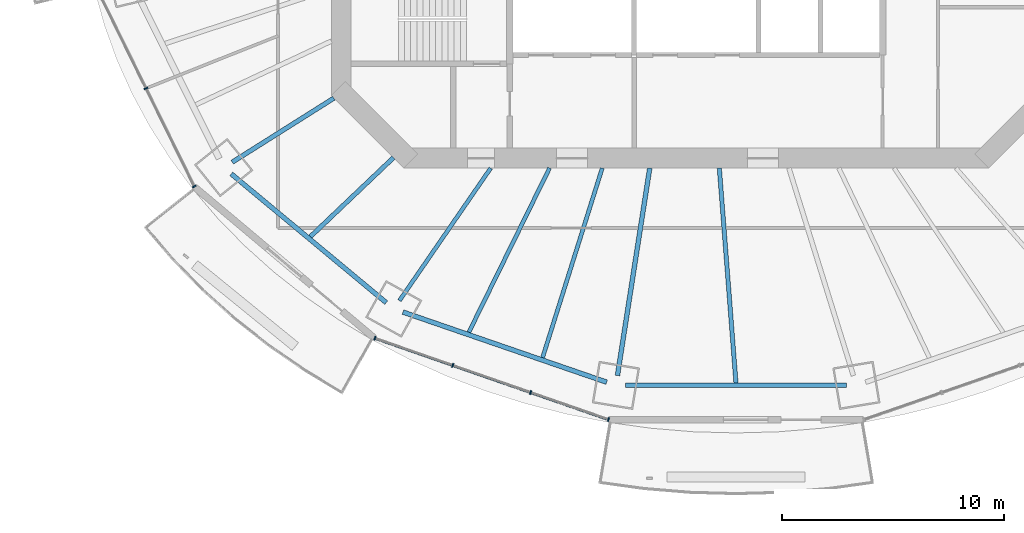
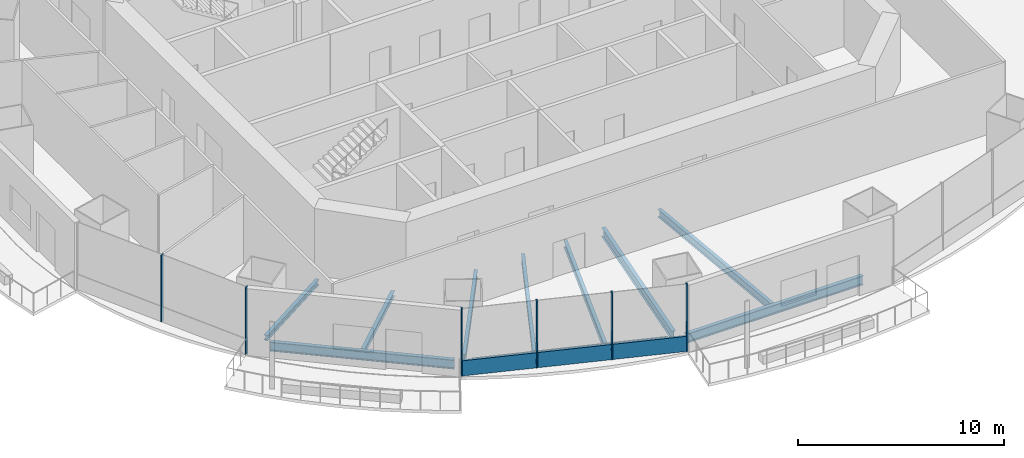
# One storey, part 2 of 18: 10 beams, 7 members, 2 elements without a shape of their own.
"""IFC4 building model written with IfcOpenShell, lengths in metres."""

from ifc_helpers import new_model, si_unit, direction, frame, origin, origin_2d, place, context, subcontext, project, spatial, rectangle, i_section, extrude, material, material_profile, profile_set, type_object, element, aggregate, save


model = new_model("IFC4")

# Units and contexts
model_context = context("Model", 3, precision=1e-05, world=origin(), true_north=direction((0.0, 1.0)))
body_context = subcontext(model_context, "Body", "Model", "MODEL_VIEW")
ifc_project = project(units=[si_unit("LENGTHUNIT", "METRE"), si_unit("AREAUNIT", "SQUARE_METRE"), si_unit("VOLUMEUNIT", "CUBIC_METRE"), si_unit("PLANEANGLEUNIT", "RADIAN"), si_unit("MASSUNIT", "GRAM", prefix="KILO")], contexts=[model_context])

# Site, building, storey
site_placement = place(None, origin())
site = spatial("IfcSite", under=ifc_project, at=site_placement, CompositionType="ELEMENT")
building_placement = place(site_placement, origin())
building = spatial("IfcBuilding", under=site, at=building_placement, Name="Marenthal Gate Tower", CompositionType="ELEMENT")
storey_placement = place(building_placement, frame((0.0, 0.0, 260.64990234375)))
storey = spatial("IfcBuildingStorey", under=building, at=storey_placement, Name="L58", CompositionType="ELEMENT", Elevation=260.64990234375)

# Curtain wall, members
ifc_material_1 = material(Name="Aluminium and glass", Category="aluminium")
curtain_wall_type = type_object("IfcCurtainWallType", Name="Curtain wall typical mid", PredefinedType="NOTDEFINED", material=ifc_material_1)
curtain_wall_1_placement = place(storey_placement, origin())
curtain_wall_1 = element("IfcCurtainWall", 1, at=curtain_wall_1_placement, inside=storey, type_object=curtain_wall_type, Name="Curtain wall L58 bay 9", PredefinedType="NOTDEFINED")
ifc_material_2 = material(Name="Aluminium", Category="aluminium")
ifc_material_profile_1 = material_profile(ifc_material_2, rectangle(XDim=0.179931640625, YDim=0.06005859375, at=origin_2d()), Name="60x180 aluminium mullion")
ifc_profile_set_1 = profile_set([ifc_material_profile_1], Name="Aluminium")
member_type_1 = type_object("IfcMemberType", Name="Mullion 60x180 typical mid", PredefinedType="MULLION", material=ifc_profile_set_1)
member_1_placement = place(storey_placement, frame((-24.804931640625, -9.858642578125, 0.0), z_axis=(0.0, 0.0, 1.0), x_axis=(0.896920632002, 0.442191564697, 0.0)))
member_1 = element("IfcMember", 2, at=member_1_placement, type_object=member_type_1, Name="Mullion L58 bay 9.2", PredefinedType="MULLION", context=body_context, shape_type="SweptSolid", body=[
    extrude(rectangle(XDim=0.179931640625, YDim=0.06005859375, at=origin_2d()), origin(), (0.0, 0.0, 1.0), 3.97021484375),
])
member_2_placement = place(storey_placement, frame((-22.6259765625, -14.27783203125, 0.0), z_axis=(0.0, 0.0, 1.0), x_axis=(0.896920632002, 0.442191564697, 0.0)))
member_2 = element("IfcMember", 3, at=member_2_placement, type_object=member_type_1, Name="Mullion L58 bay 9.3", PredefinedType="MULLION", context=body_context, shape_type="SweptSolid", body=[
    extrude(rectangle(XDim=0.179931640625, YDim=0.06005859375, at=origin_2d()), origin(), (0.0, 0.0, 1.0), 3.97021484375),
])
aggregate(curtain_wall_1, [member_1, member_2])

curtain_wall_2_placement = place(storey_placement, origin())
curtain_wall_2 = element("IfcCurtainWall", 4, at=curtain_wall_2_placement, inside=storey, type_object=curtain_wall_type, Name="Curtain wall L58 bay 11", PredefinedType="NOTDEFINED")
member_3_placement = place(storey_placement, frame((-14.48388671875, -21.12060546875, 0.0), z_axis=(0.0, 0.0, 1.0), x_axis=(0.328669787971, 0.944444900709, 0.0)))
member_3 = element("IfcMember", 5, at=member_3_placement, type_object=member_type_1, Name="Mullion L58 bay 11.1", PredefinedType="MULLION", context=body_context, shape_type="SweptSolid", body=[
    extrude(rectangle(XDim=0.179931640625, YDim=0.06005859375, at=origin_2d()), origin(), (0.0, 0.0, 1.0), 3.97021484375),
])
member_4_placement = place(storey_placement, frame((-10.974609375, -22.341796875, 0.0), z_axis=(0.0, 0.0, 1.0), x_axis=(0.328669787971, 0.944444900709, 0.0)))
member_4 = element("IfcMember", 6, at=member_4_placement, type_object=member_type_1, Name="Mullion L58 bay 11.2", PredefinedType="MULLION", context=body_context, shape_type="SweptSolid", body=[
    extrude(rectangle(XDim=0.179931640625, YDim=0.06005859375, at=origin_2d()), origin(), (0.0, 0.0, 1.0), 3.97021484375),
])
member_5_placement = place(storey_placement, frame((-7.465576171875, -23.56298828125, 0.0), z_axis=(0.0, 0.0, 1.0), x_axis=(0.328669787971, 0.944444900709, 0.0)))
member_5 = element("IfcMember", 7, at=member_5_placement, type_object=member_type_1, Name="Mullion L58 bay 11.3", PredefinedType="MULLION", context=body_context, shape_type="SweptSolid", body=[
    extrude(rectangle(XDim=0.179931640625, YDim=0.06005859375, at=origin_2d()), origin(), (0.0, 0.0, 1.0), 3.97021484375),
])
member_6_placement = place(storey_placement, frame((-3.956298828125, -24.7841796875, 0.0), z_axis=(0.0, 0.0, 1.0), x_axis=(0.328669787971, 0.944444900709, 0.0)))
member_6 = element("IfcMember", 8, at=member_6_placement, type_object=member_type_1, Name="Mullion L58 bay 11.4", PredefinedType="MULLION", context=body_context, shape_type="SweptSolid", body=[
    extrude(rectangle(XDim=0.179931640625, YDim=0.06005859375, at=origin_2d()), origin(), (0.0, 0.0, 1.0), 3.97021484375),
])
ifc_material_3 = material(Name="Aluminium", Category="aluminium")
ifc_material_profile_2 = material_profile(ifc_material_3, rectangle(XDim=0.1201171875, YDim=0.89990234375, at=origin_2d()), Name="120x900 aluminium transom")
ifc_profile_set_2 = profile_set([ifc_material_profile_2], Name="Aluminium")
member_type_2 = type_object("IfcMemberType", Name="Transom 120x900 typical mid", PredefinedType="USERDEFINED", material=ifc_profile_set_2)
member_7_placement = place(storey_placement, frame((-14.455322265625, -21.13037109375, 0.4501953125), z_axis=(0.944445984358, -0.328666674047, 0.0), x_axis=(0.328666674047, 0.944445984358, 0.0)))
member_7 = element("IfcMember", 9, at=member_7_placement, type_object=member_type_2, Name="Transom L58 bay 11", ObjectType="TRANSOM", PredefinedType="USERDEFINED", context=body_context, shape_type="SweptSolid", body=[
    extrude(rectangle(XDim=0.1201171875, YDim=0.89990234375, at=origin_2d()), origin(), (0.0, 0.0, 1.0), 11.086669921875),
])
aggregate(curtain_wall_2, [member_3, member_4, member_5, member_6, member_7])

# Beams
ifc_material_4 = material(Name="Steel S355", Category="steel")
ifc_material_profile_3 = material_profile(ifc_material_4, i_section(OverallWidth=0.202880859375, OverallDepth=0.302001953125, WebThickness=0.007568359375, FlangeThickness=0.01318359375, FilletRadius=0.0126953125, at=origin_2d()), Name="W310X60")
ifc_profile_set_3 = profile_set([ifc_material_profile_3], Name="Steel S355")
beam_type_1 = type_object("IfcBeamType", Name="W310X60 beam", PredefinedType="BEAM", material=ifc_profile_set_3)
beam_1_placement = place(storey_placement, frame((-17.389404296875, -16.538330078125, -0.330810546875), z_axis=(0.724635316144, 0.68913254066, 0.0), x_axis=(-0.68913254066, 0.724635316144, 0.0)))
element("IfcBeam", 10, at=beam_1_placement, inside=storey, type_object=beam_type_1, Name="BM-L58-31", PredefinedType="BEAM", context=body_context, shape_type="SweptSolid", body=[
    extrude(i_section(OverallWidth=0.202880859375, OverallDepth=0.302001953125, WebThickness=0.007568359375, FlangeThickness=0.01318359375, FilletRadius=0.0126953125, at=origin_2d()), origin(), (0.0, 0.0, 1.0), 5.157470703125),
])
ifc_material_5 = material(Name="Steel S355", Category="steel")
ifc_material_profile_4 = material_profile(ifc_material_5, i_section(OverallWidth=0.205078125, OverallDepth=0.31005859375, WebThickness=0.009521484375, FlangeThickness=0.016357421875, FilletRadius=0.0126953125, at=origin_2d()), Name="W310X74")
ifc_profile_set_4 = profile_set([ifc_material_profile_4], Name="Steel S355")
beam_type_2 = type_object("IfcBeamType", Name="W310X74 beam", PredefinedType="BEAM", material=ifc_profile_set_4)
beam_2_placement = place(storey_placement, frame((-20.9130859375, -13.18359375, -0.3349609375), z_axis=(0.845937996818, 0.533281263067, 0.0), x_axis=(-0.533281263067, 0.845937996818, 0.0)))
element("IfcBeam", 11, at=beam_2_placement, inside=storey, type_object=beam_type_2, Name="BM-L58-10", PredefinedType="BEAM", context=body_context, shape_type="SweptSolid", body=[
    extrude(i_section(OverallWidth=0.205078125, OverallDepth=0.31005859375, WebThickness=0.009521484375, FlangeThickness=0.016357421875, FilletRadius=0.0126953125, at=origin_2d()), origin(), (0.0, 0.0, 1.0), 5.408935546875),
])
ifc_material_6 = material(Name="Steel S355", Category="steel")
ifc_material_profile_5 = material_profile(ifc_material_6, i_section(OverallWidth=0.180908203125, OverallDepth=0.4169921875, WebThickness=0.010986328125, FlangeThickness=0.018310546875, FilletRadius=0.01025390625, at=origin_2d()), Name="W410X85")
ifc_profile_set_5 = profile_set([ifc_material_profile_5], Name="Steel S355")
beam_type_3 = type_object("IfcBeamType", Name="W410X85 beam", PredefinedType="BEAM", material=ifc_profile_set_5)
beam_3_placement = place(storey_placement, frame((-13.376708984375, -19.4228515625, -0.388427734375), z_axis=(0.567198693858, 0.823580986719, 0.0), x_axis=(-0.823580986719, 0.567198693858, 0.0)))
element("IfcBeam", 12, at=beam_3_placement, inside=storey, type_object=beam_type_3, Name="BM-L58-11", PredefinedType="BEAM", context=body_context, shape_type="SweptSolid", body=[
    extrude(i_section(OverallWidth=0.180908203125, OverallDepth=0.4169921875, WebThickness=0.010986328125, FlangeThickness=0.018310546875, FilletRadius=0.01025390625, at=origin_2d()), origin(), (0.0, 0.0, 1.0), 7.25244140625),
])
beam_4_placement = place(storey_placement, frame((-10.2490234375, -20.85009765625, -0.388427734375), z_axis=(0.441151587907, 0.897432602755, 0.0), x_axis=(-0.897432602755, 0.441151587907, 0.0)))
element("IfcBeam", 13, at=beam_4_placement, inside=storey, type_object=beam_type_3, Name="BM-L58-32", PredefinedType="BEAM", context=body_context, shape_type="SweptSolid", body=[
    extrude(i_section(OverallWidth=0.180908203125, OverallDepth=0.4169921875, WebThickness=0.010986328125, FlangeThickness=0.018310546875, FilletRadius=0.01025390625, at=origin_2d()), origin(), (0.0, 0.0, 1.0), 8.245849609375),
])
beam_5_placement = place(storey_placement, frame((-6.926025390625, -21.994140625, -0.388427734375), z_axis=(0.30034603041, 0.953830310913, 0.0), x_axis=(-0.953830310913, 0.30034603041, 0.0)))
element("IfcBeam", 14, at=beam_5_placement, inside=storey, type_object=beam_type_3, Name="BM-L58-33", PredefinedType="BEAM", context=body_context, shape_type="SweptSolid", body=[
    extrude(i_section(OverallWidth=0.180908203125, OverallDepth=0.4169921875, WebThickness=0.010986328125, FlangeThickness=0.018310546875, FilletRadius=0.01025390625, at=origin_2d()), origin(), (0.0, 0.0, 1.0), 8.957763671875),
])
ifc_material_7 = material(Name="Steel S355", Category="steel")
ifc_material_profile_6 = material_profile(ifc_material_7, i_section(OverallWidth=0.193115234375, OverallDepth=0.467041015625, WebThickness=0.011474609375, FlangeThickness=0.01904296875, FilletRadius=0.010009765625, at=origin_2d()), Name="W460X97")
ifc_profile_set_6 = profile_set([ifc_material_profile_6], Name="Steel S355")
beam_type_4 = type_object("IfcBeamType", Name="W460X97 beam", PredefinedType="BEAM", material=ifc_profile_set_6)
beam_6_placement = place(storey_placement, frame((1.791748046875, -23.138427734375, -0.413330078125), z_axis=(-0.077205616484, 0.997015191852, 0.0), x_axis=(-0.997015191852, -0.077205616484, 0.0)))
element("IfcBeam", 15, at=beam_6_placement, inside=storey, type_object=beam_type_4, Name="BM-L58-34", PredefinedType="BEAM", context=body_context, shape_type="SweptSolid", body=[
    extrude(i_section(OverallWidth=0.193115234375, OverallDepth=0.467041015625, WebThickness=0.011474609375, FlangeThickness=0.01904296875, FilletRadius=0.010009765625, at=origin_2d()), origin(), (0.0, 0.0, 1.0), 9.717529296875),
])
ifc_material_8 = material(Name="Steel S355", Category="steel")
ifc_material_profile_7 = material_profile(ifc_material_8, i_section(OverallWidth=0.2099609375, OverallDepth=0.535888671875, WebThickness=0.010986328125, FlangeThickness=0.017333984375, FilletRadius=0.0126953125, at=origin_2d()), Name="W530X101")
ifc_profile_set_7 = profile_set([ifc_material_profile_7], Name="Steel S355")
beam_type_5 = type_object("IfcBeamType", Name="W530X101 beam", PredefinedType="BEAM", material=ifc_profile_set_7)
beam_7_placement = place(storey_placement, frame((-3.550537109375, -22.7998046875, -0.447998046875), z_axis=(0.153875504904, 0.988090243343, 0.0), x_axis=(-0.988090243343, 0.153875504904, 0.0)))
element("IfcBeam", 16, at=beam_7_placement, inside=storey, type_object=beam_type_5, Name="BM-L58-12", PredefinedType="BEAM", context=body_context, shape_type="SweptSolid", body=[
    extrude(i_section(OverallWidth=0.2099609375, OverallDepth=0.535888671875, WebThickness=0.010986328125, FlangeThickness=0.017333984375, FilletRadius=0.0126953125, at=origin_2d()), origin(), (0.0, 0.0, 1.0), 9.462646484375),
])
ifc_material_9 = material(Name="Steel S355", Category="steel")
ifc_material_profile_8 = material_profile(ifc_material_9, i_section(OverallWidth=0.2119140625, OverallDepth=0.5439453125, WebThickness=0.01318359375, FlangeThickness=0.021240234375, FilletRadius=0.0126953125, at=origin_2d()), Name="W530X123")
ifc_profile_set_8 = profile_set([ifc_material_profile_8], Name="Steel S355")
beam_type_6 = type_object("IfcBeamType", Name="W530X123 beam", PredefinedType="BEAM", material=ifc_profile_set_8)
beam_8_placement = place(storey_placement, frame((-20.957763671875, -13.710693359375, -0.451904296875), z_axis=(0.769082206984, -0.639149872018, 0.0), x_axis=(0.639149872018, 0.769082206984, 0.0)))
element("IfcBeam", 17, at=beam_8_placement, inside=storey, type_object=beam_type_6, Name="BM-L58-50", PredefinedType="BEAM", context=body_context, shape_type="SweptSolid", body=[
    extrude(i_section(OverallWidth=0.2119140625, OverallDepth=0.5439453125, WebThickness=0.01318359375, FlangeThickness=0.021240234375, FilletRadius=0.0126953125, at=origin_2d()), origin(), (0.0, 0.0, 1.0), 9.0810546875),
])
beam_9_placement = place(storey_placement, frame((-13.21875, -19.93994140625, -0.451904296875), z_axis=(0.945538727214, -0.325509624034, 0.0), x_axis=(0.325509624034, 0.945538727214, 0.0)))
element("IfcBeam", 18, at=beam_9_placement, inside=storey, type_object=beam_type_6, Name="BM-L58-51", PredefinedType="BEAM", context=body_context, shape_type="SweptSolid", body=[
    extrude(i_section(OverallWidth=0.2119140625, OverallDepth=0.5439453125, WebThickness=0.01318359375, FlangeThickness=0.021240234375, FilletRadius=0.0126953125, at=origin_2d()), origin(), (0.0, 0.0, 1.0), 9.713623046875),
])
beam_10_placement = place(storey_placement, frame((-3.18212890625, -23.244384765625, -0.451904296875), z_axis=(1.0, 0.0, 0.0), x_axis=(0.0, 1.0, 0.0)))
element("IfcBeam", 19, at=beam_10_placement, inside=storey, type_object=beam_type_6, Name="BM-L58-52", PredefinedType="BEAM", context=body_context, shape_type="SweptSolid", body=[
    extrude(i_section(OverallWidth=0.2119140625, OverallDepth=0.5439453125, WebThickness=0.01318359375, FlangeThickness=0.021240234375, FilletRadius=0.0126953125, at=origin_2d()), origin(), (0.0, 0.0, 1.0), 9.96435546875),
])

save(model, "model.ifc")
